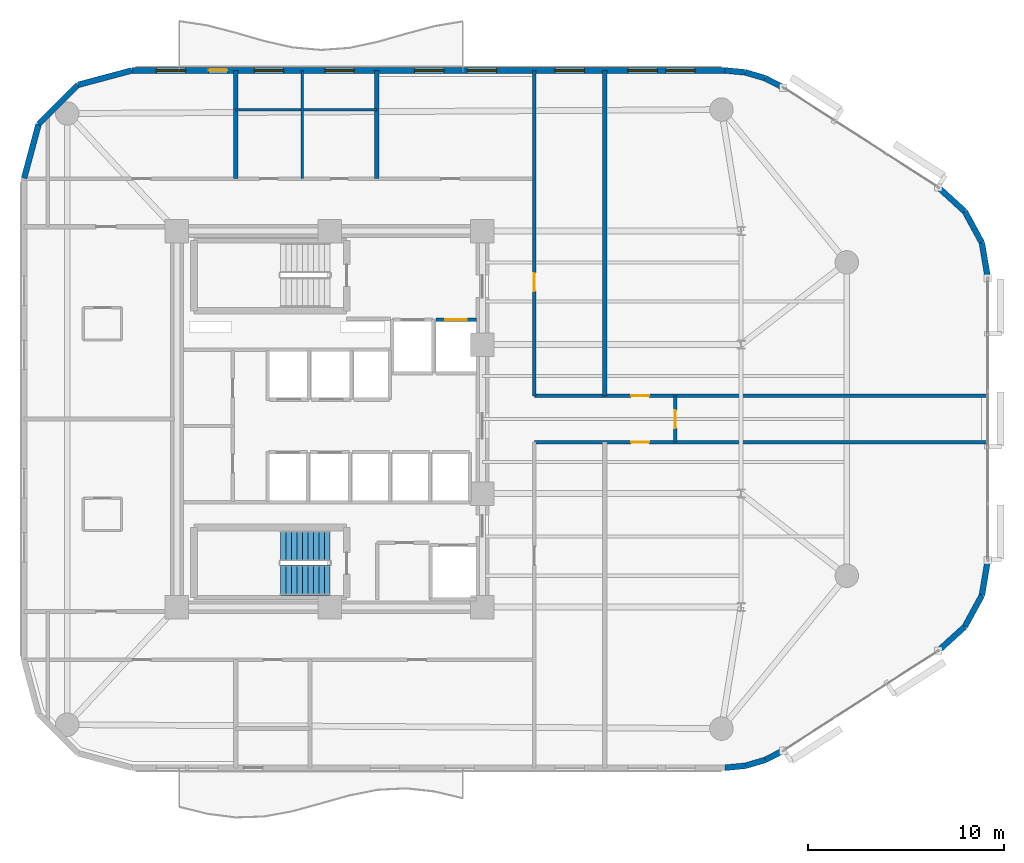
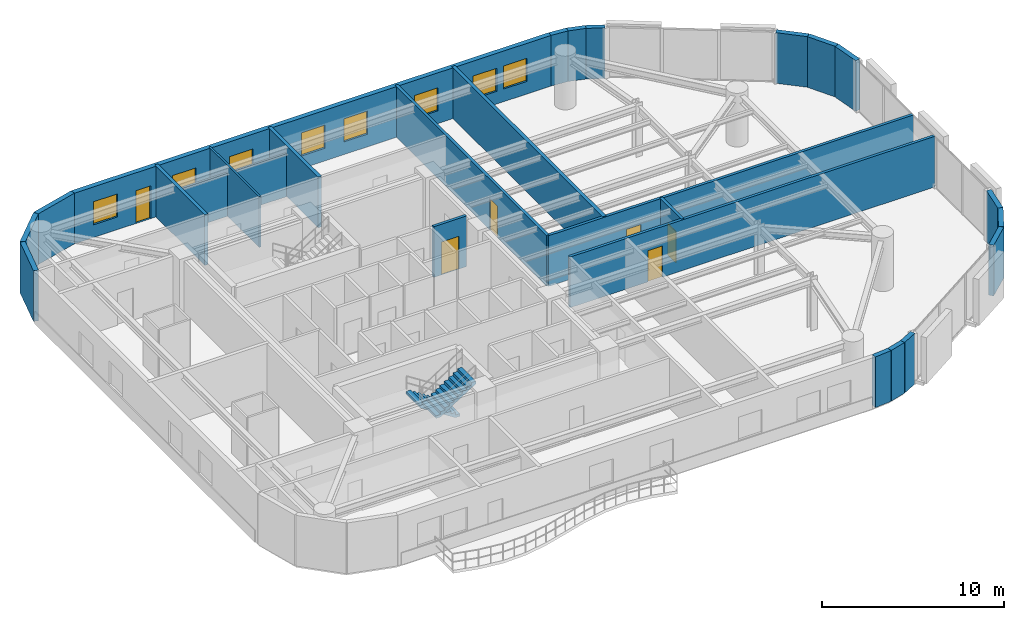
# One storey, part 12 of 15: 26 walls, 8 windows, 6 doors, 2 stair flights, 14 openings, 1 element without a shape of its own.
"""IFC4 building model written with IfcOpenShell, lengths in metres."""

from ifc_helpers import new_model, si_unit, direction, frame, frame_2d, origin, place, context, subcontext, project, spatial, polyline, rectangle, outline, extrude, material, layer, layer_set, type_object, element, fill, aggregate, save


model = new_model("IFC4")

# Units and contexts
model_context = context("Model", 3, precision=1e-05, world=origin(), true_north=direction((0.0, 1.0)))
body_context = subcontext(model_context, "Body", "Model", "MODEL_VIEW")
ifc_project = project(units=[si_unit("LENGTHUNIT", "METRE"), si_unit("AREAUNIT", "SQUARE_METRE"), si_unit("VOLUMEUNIT", "CUBIC_METRE"), si_unit("PLANEANGLEUNIT", "RADIAN"), si_unit("MASSUNIT", "GRAM", prefix="KILO")], contexts=[model_context])

# Site, building, storey
site_placement = place(None, origin())
site = spatial("IfcSite", under=ifc_project, at=site_placement, CompositionType="ELEMENT")
building_placement = place(site_placement, origin())
building = spatial("IfcBuilding", under=site, at=building_placement, Name="An Khanh Terracotta Commons", CompositionType="ELEMENT")
storey_placement = place(building_placement, frame((0.0, 0.0, 179.800048828125)))
storey = spatial("IfcBuildingStorey", under=building, at=storey_placement, Name="L47", CompositionType="ELEMENT", Elevation=179.800048828125)

# Wall, opening, door
ifc_material_1 = material(Name="Fire-Rated Gypsum Board on Steel Stud", Category="steel")
ifc_layer_1 = layer(ifc_material_1, 0.179931640625, Name="Fire-Rated Gypsum Board on Steel Stud")
ifc_layer_set_1 = layer_set([ifc_layer_1], Name="Fire-Rated Gypsum Board on Steel Stud")
wall_type_1 = type_object("IfcWallType", Name="WALL-CORR-180", PredefinedType="PARTITIONING", material=ifc_layer_set_1)
wall_1_placement = place(storey_placement, frame((34.820068359375, 29.080078125, 0.0), z_axis=(0.0, 0.0, 1.0), x_axis=(1.0, 0.0, 0.0)))
wall_1 = element("IfcWall", 1, at=wall_1_placement, inside=storey, type_object=wall_type_1, Name="L47 Core Wall LSH-L47-FFL-02-N", PredefinedType="PARTITIONING", context=body_context, shape_type="SweptSolid", body=[
    extrude(rectangle(XDim=2.079833984375, YDim=0.179931640625, at=frame_2d((1.0400390625, 0.0))), origin(), (0.0, 0.0, 1.0), 3.39990234375),
])
opening_1_placement = place(wall_1_placement, frame((0.489990234375, 0.0, 0.0)))
opening_1 = element("IfcOpeningElement", 2, at=opening_1_placement, cuts=wall_1, Name="Opening LD-FFL-02-L47", PredefinedType="OPENING", context=body_context, shape_type="SweptSolid", body=[
    extrude(rectangle(XDim=1.10009765625, YDim=2.199951171875, at=frame_2d((0.550048828125, 1.10009765625))), frame((0.0, 0.099853515625, 0.0), z_axis=(0.0, -1.0, 0.0), x_axis=(1.0, 0.0, 0.0)), (0.0, 0.0, 1.0), 0.199951171875),
])
ifc_material_2 = material(Name="Brushed Stainless Steel Fire Landing Door", Category="steel")
door_type_1 = type_object("IfcDoorType", Name="DOOR-LD-FFL-1100", OperationType="NOTDEFINED", PredefinedType="DOOR", material=ifc_material_2)
door_1_placement = place(opening_1_placement, origin())
door_1 = element("IfcDoor", 3, at=door_1_placement, inside=storey, type_object=door_type_1, Name="L47 Lift FFL-02 Sliding Landing Door", OperationType="DOUBLE_DOOR_SLIDING", OverallHeight=2.199951171875, OverallWidth=1.10009765625, PredefinedType="DOOR", context=body_context, shape_type="SweptSolid", body=[
    extrude(rectangle(XDim=1.10009765625, YDim=2.199951171875, at=frame_2d((0.550048828125, 1.10009765625))), frame((0.0, 0.02490234375, 0.0), z_axis=(0.0, -1.0, 0.0), x_axis=(1.0, 0.0, 0.0)), (0.0, 0.0, 1.0), 0.050048828125),
])
fill(opening_1, door_1)

wall_2_placement = place(storey_placement, frame((39.85009765625, 22.820068359375, 0.0), z_axis=(0.0, 0.0, 1.0), x_axis=(1.0, 0.0, 0.0)))
wall_2 = element("IfcWall", 4, at=wall_2_placement, inside=storey, type_object=wall_type_1, Name="L47 Interior Partition IW-L47-E004", PredefinedType="PARTITIONING", context=body_context, shape_type="SweptSolid", body=[
    extrude(rectangle(XDim=23.14990234375, YDim=0.179931640625, at=frame_2d((11.574951171875, 0.0))), origin(), (0.0, 0.0, 1.0), 3.39990234375),
])
opening_2_placement = place(wall_2_placement, frame((4.93994140625, 0.0, 0.0)))
opening_2 = element("IfcOpeningElement", 5, at=opening_2_placement, cuts=wall_2, Name="Opening D-RM", PredefinedType="OPENING", context=body_context, shape_type="SweptSolid", body=[
    extrude(rectangle(XDim=0.919921875, YDim=2.10009765625, at=frame_2d((0.4599609375, 1.050048828125))), frame((0.0, 0.099853515625, 0.0), z_axis=(0.0, -1.0, 0.0), x_axis=(1.0, 0.0, 0.0)), (0.0, 0.0, 1.0), 0.199951171875),
])
ifc_material_3 = material(Name="Engineered Hardwood Timber Leaf", Category="wood")
door_type_2 = type_object("IfcDoorType", Name="DOOR-INT-920", OperationType="NOTDEFINED", PredefinedType="DOOR", material=ifc_material_3)
door_2_placement = place(opening_2_placement, origin())
door_2 = element("IfcDoor", 6, at=door_2_placement, inside=storey, type_object=door_type_2, Name="L47 T5SE Group Tutorial Meeting Room Door", OperationType="SINGLE_SWING_RIGHT", OverallHeight=2.10009765625, OverallWidth=0.919921875, PredefinedType="DOOR", context=body_context, shape_type="SweptSolid", body=[
    extrude(rectangle(XDim=0.919921875, YDim=2.10009765625, at=frame_2d((0.4599609375, 1.050048828125))), frame((0.0, 0.02490234375, 0.0), z_axis=(0.0, -1.0, 0.0), x_axis=(1.0, 0.0, 0.0)), (0.0, 0.0, 1.0), 0.050048828125),
])
fill(opening_2, door_2)

wall_3_placement = place(storey_placement, frame((39.85009765625, 25.179931640625, 0.0), z_axis=(0.0, 0.0, 1.0), x_axis=(1.0, 0.0, 0.0)))
wall_3 = element("IfcWall", 7, at=wall_3_placement, inside=storey, type_object=wall_type_1, Name="L47 Interior Partition IW-L47-E006", PredefinedType="PARTITIONING", context=body_context, shape_type="SweptSolid", body=[
    extrude(rectangle(XDim=23.14990234375, YDim=0.179931640625, at=frame_2d((11.574951171875, 0.0))), origin(), (0.0, 0.0, 1.0), 3.39990234375),
])
opening_3_placement = place(wall_3_placement, frame((4.93994140625, 0.0, 0.0)))
opening_3 = element("IfcOpeningElement", 8, at=opening_3_placement, cuts=wall_3, Name="Opening D-RM", PredefinedType="OPENING", context=body_context, shape_type="SweptSolid", body=[
    extrude(rectangle(XDim=0.919921875, YDim=2.10009765625, at=frame_2d((0.4599609375, 1.050048828125))), frame((0.0, 0.099853515625, 0.0), z_axis=(0.0, -1.0, 0.0), x_axis=(1.0, 0.0, 0.0)), (0.0, 0.0, 1.0), 0.199951171875),
])
door_3_placement = place(opening_3_placement, origin())
door_3 = element("IfcDoor", 9, at=door_3_placement, inside=storey, type_object=door_type_2, Name="L47 T5NE Group Tutorial Meeting Room Door", OperationType="SINGLE_SWING_RIGHT", OverallHeight=2.10009765625, OverallWidth=0.919921875, PredefinedType="DOOR", context=body_context, shape_type="SweptSolid", body=[
    extrude(rectangle(XDim=0.919921875, YDim=2.10009765625, at=frame_2d((0.4599609375, 1.050048828125))), frame((0.0, 0.02490234375, 0.0), z_axis=(0.0, -1.0, 0.0), x_axis=(1.0, 0.0, 0.0)), (0.0, 0.0, 1.0), 0.050048828125),
])
fill(opening_3, door_3)

wall_4_placement = place(storey_placement, frame((39.85009765625, 25.179931640625, 0.0), z_axis=(0.0, 0.0, 1.0), x_axis=(0.0, 1.0, 0.0)))
wall_4 = element("IfcWall", 10, at=wall_4_placement, inside=storey, type_object=wall_type_1, Name="L47 Interior Partition IW-L47-E018", PredefinedType="PARTITIONING", context=body_context, shape_type="SweptSolid", body=[
    extrude(rectangle(XDim=16.6201171875, YDim=0.179931640625, at=frame_2d((8.31005859375, 0.0))), origin(), (0.0, 0.0, 1.0), 3.39990234375),
])
opening_4_placement = place(wall_4_placement, frame((5.35009765625, 0.0, 0.0)))
opening_4 = element("IfcOpeningElement", 11, at=opening_4_placement, cuts=wall_4, Name="Opening D-RM", PredefinedType="OPENING", context=body_context, shape_type="SweptSolid", body=[
    extrude(rectangle(XDim=0.919921875, YDim=2.10009765625, at=frame_2d((0.4599609375, 1.050048828125))), frame((0.0, 0.099853515625, 0.0), z_axis=(0.0, -1.0, 0.0), x_axis=(1.0, 0.0, 0.0)), (0.0, 0.0, 1.0), 0.199951171875),
])
door_4_placement = place(opening_4_placement, origin())
door_4 = element("IfcDoor", 12, at=door_4_placement, inside=storey, type_object=door_type_2, Name="L47 T5NW Group Tutorial Meeting Room Door", OperationType="SINGLE_SWING_RIGHT", OverallHeight=2.10009765625, OverallWidth=0.919921875, PredefinedType="DOOR", context=body_context, shape_type="SweptSolid", body=[
    extrude(rectangle(XDim=0.919921875, YDim=2.10009765625, at=frame_2d((0.4599609375, 1.050048828125))), frame((0.0, 0.02490234375, 0.0), z_axis=(0.0, -1.0, 0.0), x_axis=(1.0, 0.0, 0.0)), (0.0, 0.0, 1.0), 0.050048828125),
])
fill(opening_4, door_4)

wall_5_placement = place(storey_placement, frame((47.050048828125, 22.820068359375, 0.0), z_axis=(0.0, 0.0, 1.0), x_axis=(0.0, 1.0, 0.0)))
wall_5 = element("IfcWall", 13, at=wall_5_placement, inside=storey, type_object=wall_type_1, Name="L47 Interior Partition IW-L47-E021", PredefinedType="PARTITIONING", context=body_context, shape_type="SweptSolid", body=[
    extrude(rectangle(XDim=2.35986328125, YDim=0.179931640625, at=frame_2d((1.179931640625, 0.0))), origin(), (0.0, 0.0, 1.0), 3.39990234375),
])
opening_5_placement = place(wall_5_placement, frame((0.719970703125, 0.0, 0.0)))
opening_5 = element("IfcOpeningElement", 14, at=opening_5_placement, cuts=wall_5, Name="Opening D-RM", PredefinedType="OPENING", context=body_context, shape_type="SweptSolid", body=[
    extrude(rectangle(XDim=0.919921875, YDim=2.10009765625, at=frame_2d((0.4599609375, 1.050048828125))), frame((0.0, 0.099853515625, 0.0), z_axis=(0.0, -1.0, 0.0), x_axis=(1.0, 0.0, 0.0)), (0.0, 0.0, 1.0), 0.199951171875),
])
door_5_placement = place(opening_5_placement, origin())
door_5 = element("IfcDoor", 15, at=door_5_placement, inside=storey, type_object=door_type_2, Name="L47 T5ME Academic Seminar Room Door", OperationType="SINGLE_SWING_LEFT", OverallHeight=2.10009765625, OverallWidth=0.919921875, PredefinedType="DOOR", context=body_context, shape_type="SweptSolid", body=[
    extrude(rectangle(XDim=0.919921875, YDim=2.10009765625, at=frame_2d((0.4599609375, 1.050048828125))), frame((0.0, 0.02490234375, 0.0), z_axis=(0.0, -1.0, 0.0), x_axis=(1.0, 0.0, 0.0)), (0.0, 0.0, 1.0), 0.050048828125),
])
fill(opening_5, door_5)

# Walls
ifc_material_4 = material(Name="Precast concrete C40/50", Category="concrete")
ifc_layer_2 = layer(ifc_material_4, 0.300048828125, Name="Precast concrete C40/50")
ifc_layer_set_2 = layer_set([ifc_layer_2], Name="Precast concrete C40/50")
wall_type_2 = type_object("IfcWallType", Name="WALL-EXT-300", PredefinedType="SOLIDWALL", material=ifc_layer_set_2)
wall_6_placement = place(storey_placement, frame((49.58203125, 6.199951171875, 0.0), z_axis=(0.0, 0.0, 1.0), x_axis=(0.995426089968, 0.095534807324, 0.0)))
element("IfcWall", 16, at=wall_6_placement, inside=storey, type_object=wall_type_2, Name="L47 Insulated Terracotta Exterior Wall 5", PredefinedType="SOLIDWALL", context=body_context, shape_type="SweptSolid", body=[
    extrude(rectangle(XDim=1.0478515625, YDim=0.300048828125, at=frame_2d((0.52392578125, 0.0))), origin(), (0.0, 0.0, 1.0), 3.39990234375),
])
wall_7_placement = place(storey_placement, frame((50.625, 6.300048828125, 0.0), z_axis=(0.0, 0.0, 1.0), x_axis=(0.959528674476, 0.281610942363, 0.0)))
element("IfcWall", 17, at=wall_7_placement, inside=storey, type_object=wall_type_2, Name="L47 Insulated Terracotta Exterior Wall 6", PredefinedType="SOLIDWALL", context=body_context, shape_type="SweptSolid", body=[
    extrude(rectangle(XDim=1.04736328125, YDim=0.300048828125, at=frame_2d((0.523681640625, 0.0))), origin(), (0.0, 0.0, 1.0), 3.39990234375),
])
wall_8_placement = place(storey_placement, frame((51.6298828125, 6.594970703125, 0.0), z_axis=(0.0, 0.0, 1.0), x_axis=(0.888283247196, 0.459296062198, 0.0)))
element("IfcWall", 18, at=wall_8_placement, inside=storey, type_object=wall_type_2, Name="L47 Insulated Terracotta Exterior Wall 7", PredefinedType="SOLIDWALL", context=body_context, shape_type="SweptSolid", body=[
    extrude(rectangle(XDim=1.047119140625, YDim=0.300048828125, at=frame_2d((0.5234375, 0.0))), origin(), (0.0, 0.0, 1.0), 3.39990234375),
])
wall_9_placement = place(storey_placement, frame((60.47802734375, 12.176025390625, 0.0), z_axis=(0.0, 0.0, 1.0), x_axis=(0.73947929393, 0.673179302897, 0.0)))
element("IfcWall", 19, at=wall_9_placement, inside=storey, type_object=wall_type_2, Name="L47 Insulated Terracotta Exterior Wall 9", PredefinedType="SOLIDWALL", context=body_context, shape_type="SweptSolid", body=[
    extrude(rectangle(XDim=1.82275390625, YDim=0.300048828125, at=frame_2d((0.911376953125, 0.0))), origin(), (0.0, 0.0, 1.0), 3.39990234375),
])
wall_10_placement = place(storey_placement, frame((61.825927734375, 13.403076171875, 0.0), z_axis=(0.0, 0.0, 1.0), x_axis=(0.478608030646, 0.878028674362, 0.0)))
element("IfcWall", 20, at=wall_10_placement, inside=storey, type_object=wall_type_2, Name="L47 Insulated Terracotta Exterior Wall 10", PredefinedType="SOLIDWALL", context=body_context, shape_type="SweptSolid", body=[
    extrude(rectangle(XDim=1.822021484375, YDim=0.300048828125, at=frame_2d((0.9111328125, 0.0))), origin(), (0.0, 0.0, 1.0), 3.39990234375),
])
for number, where, z_axis, x_axis, name in (
    (21, (62.697998046875, 15.0029296875, 0.0), (0.0, 0.0, 1.0), (0.165724081207, 0.986172159873, 0.0), "L47 Insulated Terracotta Exterior Wall 11"),
    (22, (63.0, 31.199951171875, 0.0), (0.0, 0.0, 1.0), (-0.165724081207, 0.986172159873, 0.0), "L47 Insulated Terracotta Exterior Wall 13"),
):
    element("IfcWall", number, at=place(storey_placement, frame(where, z_axis=z_axis, x_axis=x_axis)), inside=storey, type_object=wall_type_2, Name=name, PredefinedType="SOLIDWALL", context=body_context, shape_type="SweptSolid", body=[
        extrude(rectangle(XDim=1.822265625, YDim=0.300048828125, at=frame_2d((0.9111328125, 0.0))), origin(), (0.0, 0.0, 1.0), 3.39990234375),
    ])
wall_11_placement = place(storey_placement, frame((62.697998046875, 32.9970703125, 0.0), z_axis=(0.0, 0.0, 1.0), x_axis=(-0.478608030646, 0.878028674362, 0.0)))
element("IfcWall", 23, at=wall_11_placement, inside=storey, type_object=wall_type_2, Name="L47 Insulated Terracotta Exterior Wall 14", PredefinedType="SOLIDWALL", context=body_context, shape_type="SweptSolid", body=[
    extrude(rectangle(XDim=1.822021484375, YDim=0.300048828125, at=frame_2d((0.9111328125, 0.0))), origin(), (0.0, 0.0, 1.0), 3.39990234375),
])
wall_12_placement = place(storey_placement, frame((61.825927734375, 34.596923828125, 0.0), z_axis=(0.0, 0.0, 1.0), x_axis=(-0.73947929393, 0.673179302897, 0.0)))
element("IfcWall", 24, at=wall_12_placement, inside=storey, type_object=wall_type_2, Name="L47 Insulated Terracotta Exterior Wall 15", PredefinedType="SOLIDWALL", context=body_context, shape_type="SweptSolid", body=[
    extrude(rectangle(XDim=1.82275390625, YDim=0.300048828125, at=frame_2d((0.911376953125, 0.0))), origin(), (0.0, 0.0, 1.0), 3.39990234375),
])
wall_13_placement = place(storey_placement, frame((52.56005859375, 40.924072265625, 0.0), z_axis=(0.0, 0.0, 1.0), x_axis=(-0.888283247196, 0.459296062198, 0.0)))
element("IfcWall", 25, at=wall_13_placement, inside=storey, type_object=wall_type_2, Name="L47 Insulated Terracotta Exterior Wall 17", PredefinedType="SOLIDWALL", context=body_context, shape_type="SweptSolid", body=[
    extrude(rectangle(XDim=1.047119140625, YDim=0.300048828125, at=frame_2d((0.5234375, 0.0))), origin(), (0.0, 0.0, 1.0), 3.39990234375),
])
wall_14_placement = place(storey_placement, frame((51.6298828125, 41.405029296875, 0.0), z_axis=(0.0, 0.0, 1.0), x_axis=(-0.959528674476, 0.281610942363, 0.0)))
element("IfcWall", 26, at=wall_14_placement, inside=storey, type_object=wall_type_2, Name="L47 Insulated Terracotta Exterior Wall 18", PredefinedType="SOLIDWALL", context=body_context, shape_type="SweptSolid", body=[
    extrude(rectangle(XDim=1.04736328125, YDim=0.300048828125, at=frame_2d((0.523681640625, 0.0))), origin(), (0.0, 0.0, 1.0), 3.39990234375),
])
wall_15_placement = place(storey_placement, frame((50.625, 41.699951171875, 0.0), z_axis=(0.0, 0.0, 1.0), x_axis=(-0.995426089968, 0.095534807324, 0.0)))
element("IfcWall", 27, at=wall_15_placement, inside=storey, type_object=wall_type_2, Name="L47 Insulated Terracotta Exterior Wall 19", PredefinedType="SOLIDWALL", context=body_context, shape_type="SweptSolid", body=[
    extrude(rectangle(XDim=1.0478515625, YDim=0.300048828125, at=frame_2d((0.52392578125, 0.0))), origin(), (0.0, 0.0, 1.0), 3.39990234375),
])

# Wall, openings, door, windows
wall_16_placement = place(storey_placement, frame((49.58203125, 41.800048828125, 0.0), z_axis=(0.0, 0.0, 1.0), x_axis=(-1.0, 0.0, 0.0)))
wall_16 = element("IfcWall", 28, at=wall_16_placement, inside=storey, type_object=wall_type_2, Name="L47 Insulated Terracotta Exterior Wall 20", PredefinedType="SOLIDWALL", context=body_context, shape_type="SweptSolid", body=[
    extrude(rectangle(XDim=30.281982421875, YDim=0.300048828125, at=frame_2d((15.14111328125, 0.0))), origin(), (0.0, 0.0, 1.0), 3.39990234375),
])
opening_6_placement = place(wall_16_placement, frame((25.406982421875, 0.0, 0.0)))
opening_6 = element("IfcOpeningElement", 29, at=opening_6_placement, cuts=wall_16, Name="Opening D-BAL", PredefinedType="OPENING", context=body_context, shape_type="SweptSolid", body=[
    extrude(rectangle(XDim=0.949951171875, YDim=2.199951171875, at=frame_2d((0.47509765625, 1.10009765625))), frame((0.0, 0.159912109375, 0.0), z_axis=(0.0, -1.0, 0.0), x_axis=(1.0, 0.0, 0.0)), (0.0, 0.0, 1.0), 0.320068359375),
])
opening_7_placement = place(wall_16_placement, frame((1.527099609375, 0.0, 0.85009765625)))
opening_7 = element("IfcOpeningElement", 30, at=opening_7_placement, cuts=wall_16, Name="Opening W-03", PredefinedType="OPENING", context=body_context, shape_type="SweptSolid", body=[
    extrude(rectangle(XDim=1.5, YDim=1.550048828125, at=frame_2d((0.75, 0.77490234375))), frame((0.0, 0.159912109375, 0.0), z_axis=(0.0, -1.0, 0.0), x_axis=(1.0, 0.0, 0.0)), (0.0, 0.0, 1.0), 0.320068359375),
])
opening_8_placement = place(wall_16_placement, frame((3.455078125, 0.0, 0.85009765625)))
opening_8 = element("IfcOpeningElement", 31, at=opening_8_placement, cuts=wall_16, Name="Opening W-03", PredefinedType="OPENING", context=body_context, shape_type="SweptSolid", body=[
    extrude(rectangle(XDim=1.5, YDim=1.550048828125, at=frame_2d((0.75, 0.77490234375))), frame((0.0, 0.159912109375, 0.0), z_axis=(0.0, -1.0, 0.0), x_axis=(1.0, 0.0, 0.0)), (0.0, 0.0, 1.0), 0.320068359375),
])
opening_9_placement = place(wall_16_placement, frame((7.181884765625, 0.0, 0.85009765625)))
opening_9 = element("IfcOpeningElement", 32, at=opening_9_placement, cuts=wall_16, Name="Opening W-03", PredefinedType="OPENING", context=body_context, shape_type="SweptSolid", body=[
    extrude(rectangle(XDim=1.5, YDim=1.550048828125, at=frame_2d((0.75, 0.77490234375))), frame((0.0, 0.159912109375, 0.0), z_axis=(0.0, -1.0, 0.0), x_axis=(1.0, 0.0, 0.0)), (0.0, 0.0, 1.0), 0.320068359375),
])
opening_10_placement = place(wall_16_placement, frame((11.6650390625, 0.0, 0.85009765625)))
opening_10 = element("IfcOpeningElement", 33, at=opening_10_placement, cuts=wall_16, Name="Opening W-03", PredefinedType="OPENING", context=body_context, shape_type="SweptSolid", body=[
    extrude(rectangle(XDim=1.5, YDim=1.550048828125, at=frame_2d((0.75, 0.77490234375))), frame((0.0, 0.159912109375, 0.0), z_axis=(0.0, -1.0, 0.0), x_axis=(1.0, 0.0, 0.0)), (0.0, 0.0, 1.0), 0.320068359375),
])
opening_11_placement = place(wall_16_placement, frame((14.34912109375, 0.0, 0.85009765625)))
opening_11 = element("IfcOpeningElement", 34, at=opening_11_placement, cuts=wall_16, Name="Opening W-03", PredefinedType="OPENING", context=body_context, shape_type="SweptSolid", body=[
    extrude(rectangle(XDim=1.5, YDim=1.550048828125, at=frame_2d((0.75, 0.77490234375))), frame((0.0, 0.159912109375, 0.0), z_axis=(0.0, -1.0, 0.0), x_axis=(1.0, 0.0, 0.0)), (0.0, 0.0, 1.0), 0.320068359375),
])
opening_12_placement = place(wall_16_placement, frame((18.931884765625, 0.0, 0.85009765625)))
opening_12 = element("IfcOpeningElement", 35, at=opening_12_placement, cuts=wall_16, Name="Opening W-03", PredefinedType="OPENING", context=body_context, shape_type="SweptSolid", body=[
    extrude(rectangle(XDim=1.5, YDim=1.550048828125, at=frame_2d((0.75, 0.77490234375))), frame((0.0, 0.159912109375, 0.0), z_axis=(0.0, -1.0, 0.0), x_axis=(1.0, 0.0, 0.0)), (0.0, 0.0, 1.0), 0.320068359375),
])
opening_13_placement = place(wall_16_placement, frame((22.531982421875, 0.0, 0.85009765625)))
opening_13 = element("IfcOpeningElement", 36, at=opening_13_placement, cuts=wall_16, Name="Opening W-03", PredefinedType="OPENING", context=body_context, shape_type="SweptSolid", body=[
    extrude(rectangle(XDim=1.5, YDim=1.550048828125, at=frame_2d((0.75, 0.77490234375))), frame((0.0, 0.159912109375, 0.0), z_axis=(0.0, -1.0, 0.0), x_axis=(1.0, 0.0, 0.0)), (0.0, 0.0, 1.0), 0.320068359375),
])
opening_14_placement = place(wall_16_placement, frame((27.531982421875, 0.0, 0.85009765625)))
opening_14 = element("IfcOpeningElement", 37, at=opening_14_placement, cuts=wall_16, Name="Opening W-03", PredefinedType="OPENING", context=body_context, shape_type="SweptSolid", body=[
    extrude(rectangle(XDim=1.5, YDim=1.550048828125, at=frame_2d((0.75, 0.77490234375))), frame((0.0, 0.159912109375, 0.0), z_axis=(0.0, -1.0, 0.0), x_axis=(1.0, 0.0, 0.0)), (0.0, 0.0, 1.0), 0.320068359375),
])
ifc_material_5 = material(Name="Thermally Broken Aluminium and Low-E Glass", Category="aluminium")
door_type_3 = type_object("IfcDoorType", Name="DOOR-BALC-950", OperationType="NOTDEFINED", PredefinedType="DOOR", material=ifc_material_5)
door_6_placement = place(opening_6_placement, origin())
door_6 = element("IfcDoor", 38, at=door_6_placement, inside=storey, type_object=door_type_3, Name="L47 N Wave Balcony Glazed Door", OperationType="SINGLE_SWING_RIGHT", OverallHeight=2.199951171875, OverallWidth=0.949951171875, PredefinedType="DOOR", context=body_context, shape_type="SweptSolid", body=[
    extrude(rectangle(XDim=0.949951171875, YDim=2.199951171875, at=frame_2d((0.47509765625, 1.10009765625))), frame((0.0, 0.02490234375, 0.0), z_axis=(0.0, -1.0, 0.0), x_axis=(1.0, 0.0, 0.0)), (0.0, 0.0, 1.0), 0.050048828125),
])
fill(opening_6, door_6)
window_type = type_object("IfcWindowType", Name="WIN-Z3-1500x1550", PartitioningType="DOUBLE_PANEL_VERTICAL", PredefinedType="WINDOW", material=ifc_material_5)
window_1_placement = place(opening_7_placement, origin())
window_1 = element("IfcWindow", 39, at=window_1_placement, inside=storey, type_object=window_type, Name="L47 Operable Casement Window 20.1", OverallHeight=1.550048828125, OverallWidth=1.5, PartitioningType="DOUBLE_PANEL_VERTICAL", PredefinedType="WINDOW", context=body_context, shape_type="SweptSolid", body=[
    extrude(rectangle(XDim=1.5, YDim=1.550048828125, at=frame_2d((0.75, 0.77490234375))), frame((0.0, 0.030029296875, 0.0), z_axis=(0.0, -1.0, 0.0), x_axis=(1.0, 0.0, 0.0)), (0.0, 0.0, 1.0), 0.06005859375),
])
fill(opening_7, window_1)
window_2_placement = place(opening_8_placement, origin())
window_2 = element("IfcWindow", 40, at=window_2_placement, inside=storey, type_object=window_type, Name="L47 Operable Casement Window 20.2", OverallHeight=1.550048828125, OverallWidth=1.5, PartitioningType="DOUBLE_PANEL_VERTICAL", PredefinedType="WINDOW", context=body_context, shape_type="SweptSolid", body=[
    extrude(rectangle(XDim=1.5, YDim=1.550048828125, at=frame_2d((0.75, 0.77490234375))), frame((0.0, 0.030029296875, 0.0), z_axis=(0.0, -1.0, 0.0), x_axis=(1.0, 0.0, 0.0)), (0.0, 0.0, 1.0), 0.06005859375),
])
fill(opening_8, window_2)
window_3_placement = place(opening_9_placement, origin())
window_3 = element("IfcWindow", 41, at=window_3_placement, inside=storey, type_object=window_type, Name="L47 Operable Casement Window 20.3", OverallHeight=1.550048828125, OverallWidth=1.5, PartitioningType="DOUBLE_PANEL_VERTICAL", PredefinedType="WINDOW", context=body_context, shape_type="SweptSolid", body=[
    extrude(rectangle(XDim=1.5, YDim=1.550048828125, at=frame_2d((0.75, 0.77490234375))), frame((0.0, 0.030029296875, 0.0), z_axis=(0.0, -1.0, 0.0), x_axis=(1.0, 0.0, 0.0)), (0.0, 0.0, 1.0), 0.06005859375),
])
fill(opening_9, window_3)
window_4_placement = place(opening_10_placement, origin())
window_4 = element("IfcWindow", 42, at=window_4_placement, inside=storey, type_object=window_type, Name="L47 Operable Casement Window 20.4", OverallHeight=1.550048828125, OverallWidth=1.5, PartitioningType="DOUBLE_PANEL_VERTICAL", PredefinedType="WINDOW", context=body_context, shape_type="SweptSolid", body=[
    extrude(rectangle(XDim=1.5, YDim=1.550048828125, at=frame_2d((0.75, 0.77490234375))), frame((0.0, 0.030029296875, 0.0), z_axis=(0.0, -1.0, 0.0), x_axis=(1.0, 0.0, 0.0)), (0.0, 0.0, 1.0), 0.06005859375),
])
fill(opening_10, window_4)
window_5_placement = place(opening_11_placement, origin())
window_5 = element("IfcWindow", 43, at=window_5_placement, inside=storey, type_object=window_type, Name="L47 Operable Casement Window 20.5", OverallHeight=1.550048828125, OverallWidth=1.5, PartitioningType="DOUBLE_PANEL_VERTICAL", PredefinedType="WINDOW", context=body_context, shape_type="SweptSolid", body=[
    extrude(rectangle(XDim=1.5, YDim=1.550048828125, at=frame_2d((0.75, 0.77490234375))), frame((0.0, 0.030029296875, 0.0), z_axis=(0.0, -1.0, 0.0), x_axis=(1.0, 0.0, 0.0)), (0.0, 0.0, 1.0), 0.06005859375),
])
fill(opening_11, window_5)
window_6_placement = place(opening_12_placement, origin())
window_6 = element("IfcWindow", 44, at=window_6_placement, inside=storey, type_object=window_type, Name="L47 Operable Casement Window 20.6", OverallHeight=1.550048828125, OverallWidth=1.5, PartitioningType="DOUBLE_PANEL_VERTICAL", PredefinedType="WINDOW", context=body_context, shape_type="SweptSolid", body=[
    extrude(rectangle(XDim=1.5, YDim=1.550048828125, at=frame_2d((0.75, 0.77490234375))), frame((0.0, 0.030029296875, 0.0), z_axis=(0.0, -1.0, 0.0), x_axis=(1.0, 0.0, 0.0)), (0.0, 0.0, 1.0), 0.06005859375),
])
fill(opening_12, window_6)
window_7_placement = place(opening_13_placement, origin())
window_7 = element("IfcWindow", 45, at=window_7_placement, inside=storey, type_object=window_type, Name="L47 Operable Casement Window 20.7", OverallHeight=1.550048828125, OverallWidth=1.5, PartitioningType="DOUBLE_PANEL_VERTICAL", PredefinedType="WINDOW", context=body_context, shape_type="SweptSolid", body=[
    extrude(rectangle(XDim=1.5, YDim=1.550048828125, at=frame_2d((0.75, 0.77490234375))), frame((0.0, 0.030029296875, 0.0), z_axis=(0.0, -1.0, 0.0), x_axis=(1.0, 0.0, 0.0)), (0.0, 0.0, 1.0), 0.06005859375),
])
fill(opening_13, window_7)
window_8_placement = place(opening_14_placement, origin())
window_8 = element("IfcWindow", 46, at=window_8_placement, inside=storey, type_object=window_type, Name="L47 Operable Casement Window 20.8", OverallHeight=1.550048828125, OverallWidth=1.5, PartitioningType="DOUBLE_PANEL_VERTICAL", PredefinedType="WINDOW", context=body_context, shape_type="SweptSolid", body=[
    extrude(rectangle(XDim=1.5, YDim=1.550048828125, at=frame_2d((0.75, 0.77490234375))), frame((0.0, 0.030029296875, 0.0), z_axis=(0.0, -1.0, 0.0), x_axis=(1.0, 0.0, 0.0)), (0.0, 0.0, 1.0), 0.06005859375),
])
fill(opening_14, window_8)

# Walls
wall_17_placement = place(storey_placement, frame((19.300048828125, 41.800048828125, 0.0), z_axis=(0.0, 0.0, 1.0), x_axis=(-0.965908238586, -0.258884674387, 0.0)))
element("IfcWall", 47, at=wall_17_placement, inside=storey, type_object=wall_type_2, Name="L47 Insulated Terracotta Exterior Wall 21", PredefinedType="SOLIDWALL", context=body_context, shape_type="SweptSolid", body=[
    extrude(rectangle(XDim=2.84716796875, YDim=0.300048828125, at=frame_2d((1.423583984375, 0.0))), origin(), (0.0, 0.0, 1.0), 3.39990234375),
])
wall_18_placement = place(storey_placement, frame((16.550048828125, 41.06298828125, 0.0), z_axis=(0.0, 0.0, 1.0), x_axis=(-0.707106781187, -0.707106781187, 0.0)))
element("IfcWall", 48, at=wall_18_placement, inside=storey, type_object=wall_type_2, Name="L47 Insulated Terracotta Exterior Wall 22", PredefinedType="SOLIDWALL", context=body_context, shape_type="SweptSolid", body=[
    extrude(rectangle(XDim=2.8466796875, YDim=0.300048828125, at=frame_2d((1.42333984375, 0.0))), origin(), (0.0, 0.0, 1.0), 3.39990234375),
])
wall_19_placement = place(storey_placement, frame((14.537109375, 39.050048828125, 0.0), z_axis=(0.0, 0.0, 1.0), x_axis=(-0.258884674387, -0.965908238586, 0.0)))
element("IfcWall", 49, at=wall_19_placement, inside=storey, type_object=wall_type_2, Name="L47 Insulated Terracotta Exterior Wall 23", PredefinedType="SOLIDWALL", context=body_context, shape_type="SweptSolid", body=[
    extrude(rectangle(XDim=2.84716796875, YDim=0.300048828125, at=frame_2d((1.423583984375, 0.0))), origin(), (0.0, 0.0, 1.0), 3.39990234375),
])
ifc_material_6 = material(Name="Acoustic Double-Stud Gypsum and Mineral Wool")
ifc_layer_3 = layer(ifc_material_6, 0.219970703125, Name="Acoustic Double-Stud Gypsum and Mineral Wool")
ifc_layer_set_3 = layer_set([ifc_layer_3], Name="Acoustic Double-Stud Gypsum and Mineral Wool")
wall_type_3 = type_object("IfcWallType", Name="WALL-PARTY-220", PredefinedType="PARTITIONING", material=ifc_layer_set_3)
for number, where, z_axis, x_axis, name in (
    (50, (24.60009765625, 36.280029296875, 0.0), (0.0, 0.0, 1.0), (0.0, 1.0, 0.0), "L47 Interior Partition IW-L47-E013"),
    (51, (31.800048828125, 36.280029296875, 0.0), (0.0, 0.0, 1.0), (0.0, 1.0, 0.0), "L47 Interior Partition IW-L47-E016"),
):
    element("IfcWall", number, at=place(storey_placement, frame(where, z_axis=z_axis, x_axis=x_axis)), inside=storey, type_object=wall_type_3, Name=name, PredefinedType="PARTITIONING", context=body_context, shape_type="SweptSolid", body=[
        extrude(rectangle(XDim=5.52001953125, YDim=0.219970703125, at=frame_2d((2.760009765625, 0.0))), origin(), (0.0, 0.0, 1.0), 3.39990234375),
    ])
wall_20_placement = place(storey_placement, frame((43.449951171875, 25.179931640625, 0.0), z_axis=(0.0, 0.0, 1.0), x_axis=(0.0, 1.0, 0.0)))
element("IfcWall", 52, at=wall_20_placement, inside=storey, type_object=wall_type_3, Name="L47 Interior Partition IW-L47-E020", PredefinedType="PARTITIONING", context=body_context, shape_type="SweptSolid", body=[
    extrude(rectangle(XDim=16.6201171875, YDim=0.219970703125, at=frame_2d((8.31005859375, 0.0))), origin(), (0.0, 0.0, 1.0), 3.39990234375),
])
ifc_material_7 = material(Name="Moisture-Resistant Cement Board Partition")
ifc_layer_4 = layer(ifc_material_7, 0.1201171875, Name="Moisture-Resistant Cement Board Partition")
ifc_layer_set_4 = layer_set([ifc_layer_4], Name="Moisture-Resistant Cement Board Partition")
wall_type_4 = type_object("IfcWallType", Name="WALL-WET-120", PredefinedType="PARTITIONING", material=ifc_layer_set_4)
wall_21_placement = place(storey_placement, frame((24.60009765625, 39.800048828125, 0.0), z_axis=(0.0, 0.0, 1.0), x_axis=(1.0, 0.0, 0.0)))
element("IfcWall", 53, at=wall_21_placement, inside=storey, type_object=wall_type_4, Name="L47 Interior Partition IW-L47-E009", PredefinedType="PARTITIONING", context=body_context, shape_type="SweptSolid", body=[
    extrude(rectangle(XDim=7.199951171875, YDim=0.1201171875, at=frame_2d((3.60009765625, 0.0))), origin(), (0.0, 0.0, 1.0), 2.8818359375),
])
wall_22_placement = place(storey_placement, frame((28.0, 36.280029296875, 0.0), z_axis=(0.0, 0.0, 1.0), x_axis=(0.0, 1.0, 0.0)))
element("IfcWall", 54, at=wall_22_placement, inside=storey, type_object=wall_type_4, Name="L47 Interior Partition IW-L47-E014", PredefinedType="PARTITIONING", context=body_context, shape_type="SweptSolid", body=[
    extrude(rectangle(XDim=5.52001953125, YDim=0.1201171875, at=frame_2d((2.760009765625, 0.0))), origin(), (0.0, 0.0, 1.0), 3.39990234375),
])

# Stair, stair flights
stair_type = type_object("IfcStairType", Name="STAIR-CORE-1550", PredefinedType="HALF_TURN_STAIR", material=ifc_material_4)
stair_placement = place(storey_placement, origin())
stair = element("IfcStair", 55, at=stair_placement, inside=storey, type_object=stair_type, Name="L47 Core Smokeproof Exit Stair ST-02", PredefinedType="HALF_TURN_STAIR")
stair_flight_type = type_object("IfcStairFlightType", Name="FLIGHT-CORE-1550", PredefinedType="STRAIGHT", material=ifc_material_4)
stair_flight_1_placement = place(storey_placement, frame((29.409912109375, 17.52490234375, 0.0), z_axis=(0.0, 0.0, 1.0), x_axis=(-1.0, 0.0, 0.0)))
stair_flight_1 = element("IfcStairFlight", 56, at=stair_flight_1_placement, type_object=stair_flight_type, Name="ST-02 flight 1", NumberOfRisers=10, NumberOfTreads=9, PredefinedType="STRAIGHT", RiserHeight=0.18, TreadLength=0.28, context=body_context, shape_type="SweptSolid", body=[
    extrude(outline(polyline([(0.0, 0.0), (0.0, 0.179931640625), (0.280029296875, 0.179931640625), (0.280029296875, 0.360107421875), (0.56005859375, 0.360107421875), (0.56005859375, 0.5400390625), (0.840087890625, 0.5400390625), (0.840087890625, 0.719970703125), (1.1201171875, 0.719970703125), (1.1201171875, 0.89990234375), (1.39990234375, 0.89990234375), (1.39990234375, 1.080078125), (1.679931640625, 1.080078125), (1.679931640625, 1.260009765625), (1.9599609375, 1.260009765625), (1.9599609375, 1.43994140625), (2.239990234375, 1.43994140625), (2.239990234375, 1.6201171875), (2.52001953125, 1.6201171875), (2.52001953125, 1.800048828125), (2.52001953125, 1.44189453125), (0.277099609375, 0.0), (0.0, 0.0)])), frame((0.0, 0.77490234375, 0.0), z_axis=(0.0, -1.0, 0.0), x_axis=(1.0, 0.0, 0.0)), (0.0, 0.0, 1.0), 1.550048828125),
])
stair_flight_2_placement = place(storey_placement, frame((26.889892578125, 15.77490234375, 1.800048828125), z_axis=(0.0, 0.0, 1.0), x_axis=(1.0, 0.0, 0.0)))
stair_flight_2 = element("IfcStairFlight", 57, at=stair_flight_2_placement, type_object=stair_flight_type, Name="ST-02 flight 2", NumberOfRisers=10, NumberOfTreads=9, PredefinedType="STRAIGHT", RiserHeight=0.18, TreadLength=0.28, context=body_context, shape_type="SweptSolid", body=[
    extrude(outline(polyline([(0.0, 0.0), (0.0, 0.179931640625), (0.280029296875, 0.179931640625), (0.280029296875, 0.360107421875), (0.56005859375, 0.360107421875), (0.56005859375, 0.5400390625), (0.840087890625, 0.5400390625), (0.840087890625, 0.719970703125), (1.1201171875, 0.719970703125), (1.1201171875, 0.89990234375), (1.39990234375, 0.89990234375), (1.39990234375, 1.080078125), (1.679931640625, 1.080078125), (1.679931640625, 1.260009765625), (1.9599609375, 1.260009765625), (1.9599609375, 1.43994140625), (2.239990234375, 1.43994140625), (2.239990234375, 1.6201171875), (2.52001953125, 1.6201171875), (2.52001953125, 1.800048828125), (2.52001953125, 1.44189453125), (0.277099609375, 0.0), (0.0, 0.0)])), frame((0.0, 0.77490234375, 0.0), z_axis=(0.0, -1.0, 0.0), x_axis=(1.0, 0.0, 0.0)), (0.0, 0.0, 1.0), 1.550048828125),
])
aggregate(stair, [stair_flight_1, stair_flight_2])

save(model, "model.ifc")
